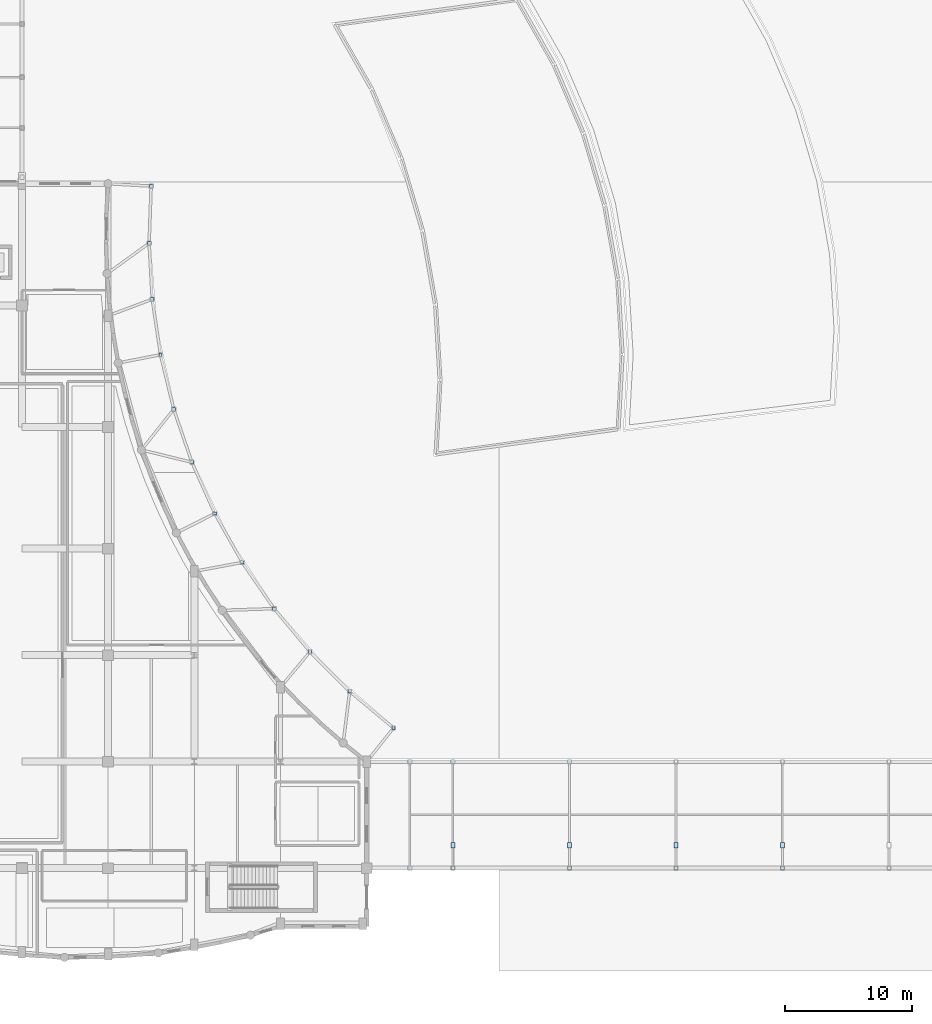
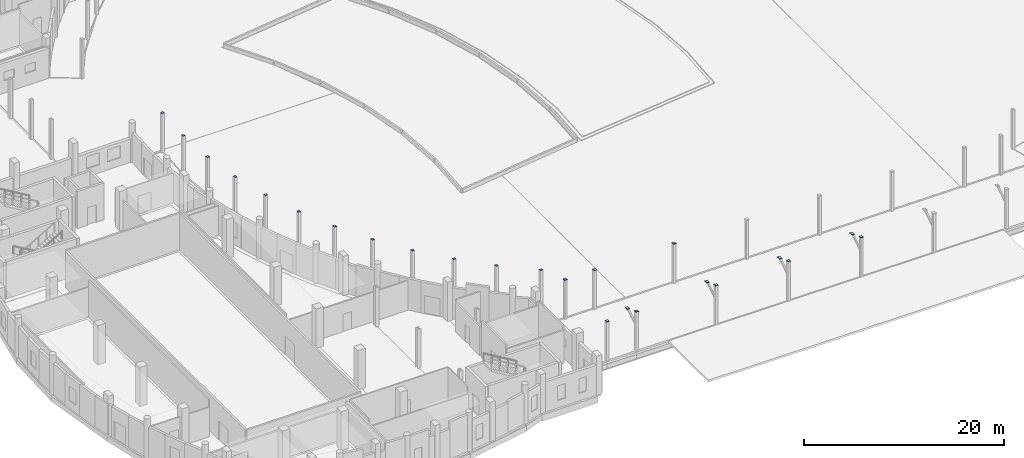
# One storey, part 56 of 97: 24 plates.
"""IFC4 building model written with IfcOpenShell, lengths in metres."""

from ifc_helpers import new_model, si_unit, direction, frame, origin, origin_2d, place, context, subcontext, project, spatial, rectangle, extrude, material, layer, layer_set, type_object, element, save


model = new_model("IFC4")

# Units and contexts
model_context = context("Model", 3, precision=1e-05, world=origin(), true_north=direction((0.0, 1.0)))
body_context = subcontext(model_context, "Body", "Model", "MODEL_VIEW")
ifc_project = project(units=[si_unit("LENGTHUNIT", "METRE"), si_unit("AREAUNIT", "SQUARE_METRE"), si_unit("VOLUMEUNIT", "CUBIC_METRE"), si_unit("PLANEANGLEUNIT", "RADIAN"), si_unit("MASSUNIT", "GRAM", prefix="KILO")], contexts=[model_context])

# Site, building, storey
site_placement = place(None, origin())
site = spatial("IfcSite", under=ifc_project, at=site_placement, CompositionType="ELEMENT")
building_placement = place(site_placement, origin())
building = spatial("IfcBuilding", under=site, at=building_placement, Name="Kisaragi Civic Commons", CompositionType="ELEMENT")
storey_placement = place(building_placement, origin())
storey = spatial("IfcBuildingStorey", under=building, at=storey_placement, Name="L00", CompositionType="ELEMENT", Elevation=0.0)

# Plates
ifc_material = material(Name="Steel SN490 (SN490B)", Category="steel")
ifc_layer_1 = layer(ifc_material, 0.01806640625, Name="Steel SN490 (SN490B)", Category="steel")
ifc_layer_set_1 = layer_set([ifc_layer_1], Name="Steel SN490 (SN490B)")
plate_type_1 = type_object("IfcPlateType", Name="CP-02", PredefinedType="SHEET", material=ifc_layer_set_1)
for number, where, z_axis, x_axis, name in (
    (1, (51.0, 8.39990234375, 4.800048828125), (0.0, 0.0, 1.0), (1.0, 0.0, 0.0), "L00 column cap plate CP-02 (51.0,8.4)"),
    (2, (51.0, 16.800048828125, 4.800048828125), (0.0, 0.0, 1.0), (1.0, 0.0, 0.0), "L00 column cap plate CP-02 (51.0,16.8)"),
    (3, (54.39990234375, 8.39990234375, 4.800048828125), (0.0, 0.0, 1.0), (1.0, 0.0, 0.0), "L00 column cap plate CP-02 (54.4,8.4)"),
    (4, (54.39990234375, 16.800048828125, 4.800048828125), (0.0, 0.0, 1.0), (1.0, 0.0, 0.0), "L00 column cap plate CP-02 (54.4,16.8)"),
    (5, (63.60009765625, 8.39990234375, 4.800048828125), (0.0, 0.0, 1.0), (1.0, 0.0, 0.0), "L00 column cap plate CP-02 (63.6,8.4)"),
    (6, (63.60009765625, 16.800048828125, 4.800048828125), (0.0, 0.0, 1.0), (1.0, 0.0, 0.0), "L00 column cap plate CP-02 (63.6,16.8)"),
    (7, (72.0, 8.39990234375, 4.800048828125), (0.0, 0.0, 1.0), (1.0, 0.0, 0.0), "L00 column cap plate CP-02 (72.0,8.4)"),
    (8, (80.39990234375, 8.39990234375, 4.800048828125), (0.0, 0.0, 1.0), (1.0, 0.0, 0.0), "L00 column cap plate CP-02 (80.4,8.4)"),
):
    element("IfcPlate", number, at=place(storey_placement, frame(where, z_axis=z_axis, x_axis=x_axis)), inside=storey, type_object=plate_type_1, Name=name, PredefinedType="SHEET", context=body_context, shape_type="SweptSolid", body=[
        extrude(rectangle(XDim=0.320068359375, YDim=0.320068359375, at=origin_2d()), origin(), (0.0, 0.0, 1.0), 0.01806640625),
    ])
ifc_layer_2 = layer(ifc_material, 0.01611328125, Name="Steel SN490 (SN490B)", Category="steel")
ifc_layer_set_2 = layer_set([ifc_layer_2], Name="Steel SN490 (SN490B)")
plate_type_2 = type_object("IfcPlateType", Name="CP-03", PredefinedType="SHEET", material=ifc_layer_set_2)
for number, where, z_axis, x_axis, name in (
    (9, (30.434814453125, 57.703857421875, 4.800048828125), (0.0, 0.0, 1.0), (1.0, 0.0, 0.0), "L00 column cap plate CP-03 (30.4,57.7)"),
    (10, (30.594482421875, 62.204345703125, 4.800048828125), (0.0, 0.0, 1.0), (1.0, 0.0, 0.0), "L00 column cap plate CP-03 (30.6,62.2)"),
    (11, (30.683837890625, 53.284912109375, 4.800048828125), (0.0, 0.0, 1.0), (1.0, 0.0, 0.0), "L00 column cap plate CP-03 (30.7,53.3)"),
    (12, (31.333740234375, 48.9072265625, 4.800048828125), (0.0, 0.0, 1.0), (1.0, 0.0, 0.0), "L00 column cap plate CP-03 (31.3,48.9)"),
    (13, (32.379150390625, 44.6064453125, 4.800048828125), (0.0, 0.0, 1.0), (1.0, 0.0, 0.0), "L00 column cap plate CP-03 (32.4,44.6)"),
    (14, (33.8115234375, 40.4189453125, 4.800048828125), (0.0, 0.0, 1.0), (1.0, 0.0, 0.0), "L00 column cap plate CP-03 (33.8,40.4)"),
    (15, (35.618896484375, 36.37890625, 4.800048828125), (0.0, 0.0, 1.0), (1.0, 0.0, 0.0), "L00 column cap plate CP-03 (35.6,36.4)"),
    (16, (37.7861328125, 32.52001953125, 4.800048828125), (0.0, 0.0, 1.0), (1.0, 0.0, 0.0), "L00 column cap plate CP-03 (37.8,32.5)"),
    (17, (40.295654296875, 28.87451171875, 4.800048828125), (0.0, 0.0, 1.0), (1.0, 0.0, 0.0), "L00 column cap plate CP-03 (40.3,28.9)"),
    (18, (43.12646484375, 25.47216796875, 4.800048828125), (0.0, 0.0, 1.0), (1.0, 0.0, 0.0), "L00 column cap plate CP-03 (43.1,25.5)"),
    (19, (46.2548828125, 22.341552734375, 4.800048828125), (0.0, 0.0, 1.0), (1.0, 0.0, 0.0), "L00 column cap plate CP-03 (46.3,22.3)"),
    (20, (49.71630859375, 19.4609375, 4.800048828125), (0.0, 0.0, 1.0), (1.0, 0.0, 0.0), "L00 column cap plate CP-03 (49.7,19.5)"),
):
    element("IfcPlate", number, at=place(storey_placement, frame(where, z_axis=z_axis, x_axis=x_axis)), inside=storey, type_object=plate_type_2, Name=name, PredefinedType="SHEET", context=body_context, shape_type="SweptSolid", body=[
        extrude(rectangle(XDim=0.27001953125, YDim=0.27001953125, at=origin_2d()), origin(), (0.0, 0.0, 1.0), 0.01611328125),
    ])
ifc_layer_3 = layer(ifc_material, 0.01904296875, Name="Steel SN490 (SN490B)", Category="steel")
ifc_layer_set_3 = layer_set([ifc_layer_3], Name="Steel SN490 (SN490B)")
plate_type_3 = type_object("IfcPlateType", Name="GP-04", PredefinedType="SHEET", material=ifc_layer_set_3)
for number, where, z_axis, x_axis, name in (
    (21, (54.39990234375, 10.199951171875, 4.090576171875), (0.0, 0.0, 1.0), (0.0, 1.0, 0.0), "Canopy strut cap plate 1"),
    (22, (63.60009765625, 10.199951171875, 4.090576171875), (0.0, 0.0, 1.0), (0.0, 1.0, 0.0), "Canopy strut cap plate 2"),
    (23, (72.0, 10.199951171875, 4.090576171875), (0.0, 0.0, 1.0), (0.0, 1.0, 0.0), "Canopy strut cap plate 3"),
    (24, (80.39990234375, 10.199951171875, 4.090576171875), (0.0, 0.0, 1.0), (0.0, 1.0, 0.0), "Canopy strut cap plate 4"),
):
    element("IfcPlate", number, at=place(storey_placement, frame(where, z_axis=z_axis, x_axis=x_axis)), inside=storey, type_object=plate_type_3, Name=name, PredefinedType="SHEET", context=body_context, shape_type="SweptSolid", body=[
        extrude(rectangle(XDim=0.419921875, YDim=0.300048828125, at=origin_2d()), origin(), (0.0, 0.0, 1.0), 0.01904296875),
    ])

save(model, "model.ifc")
